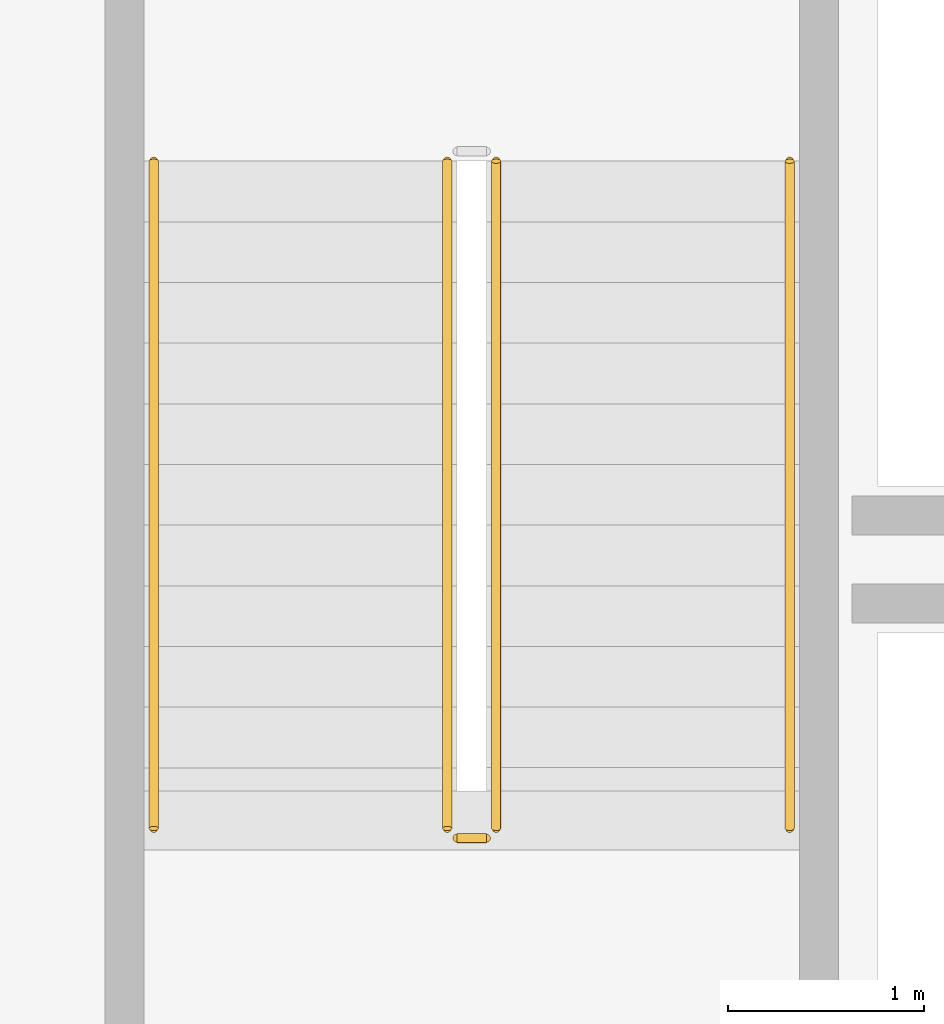
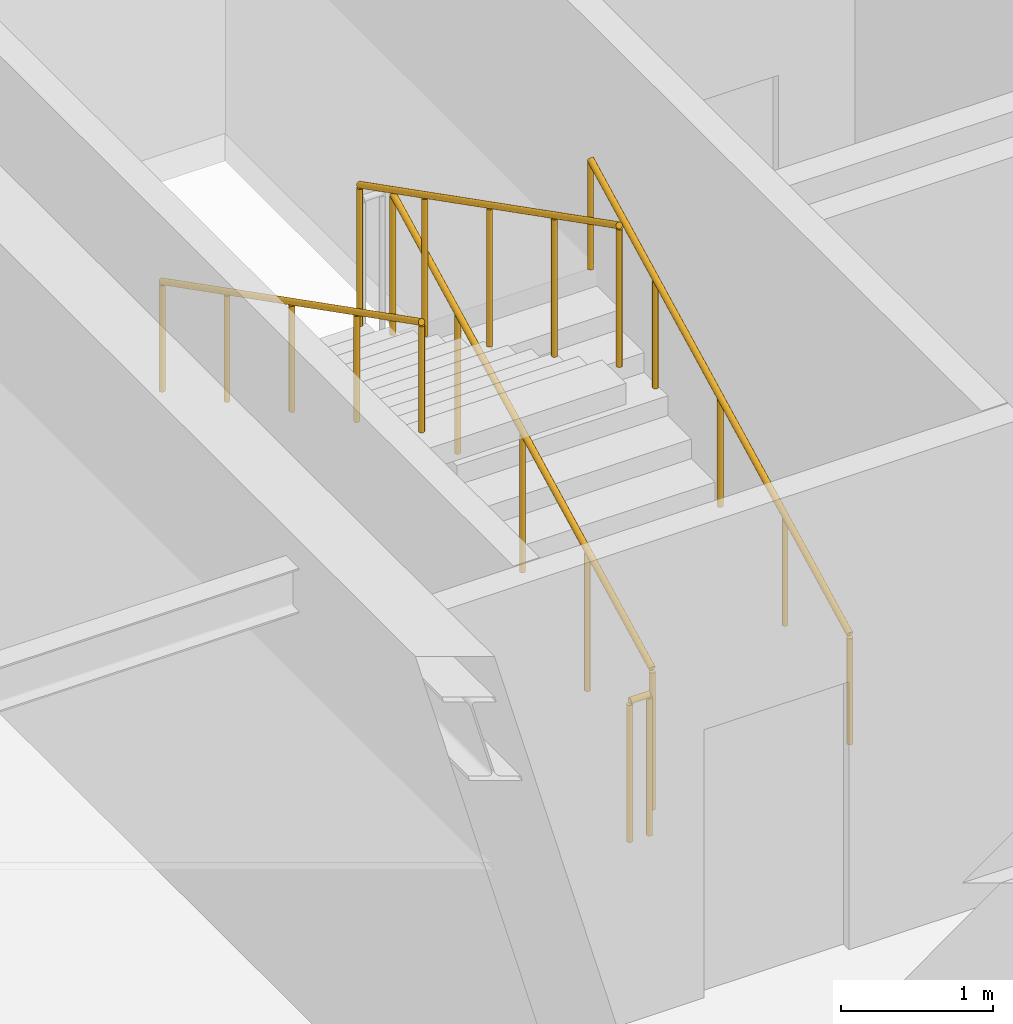
# One storey, part 15 of 20: 5 railings.
"""IFC4 building model written with IfcOpenShell, lengths in metres."""

from ifc_helpers import new_model, si_unit, direction, frame, origin, origin_2d, place, context, subcontext, project, spatial, circle, extrude, material, type_object, element, save


model = new_model("IFC4")

# Units and contexts
model_context = context("Model", 3, precision=1e-05, world=origin(), true_north=direction((0.0, 1.0)))
body_context = subcontext(model_context, "Body", "Model", "MODEL_VIEW")
ifc_project = project(units=[si_unit("LENGTHUNIT", "METRE"), si_unit("AREAUNIT", "SQUARE_METRE"), si_unit("VOLUMEUNIT", "CUBIC_METRE"), si_unit("PLANEANGLEUNIT", "RADIAN"), si_unit("MASSUNIT", "GRAM", prefix="KILO")], contexts=[model_context])

# Site, building, storey
site_placement = place(None, origin())
site = spatial("IfcSite", under=ifc_project, at=site_placement, CompositionType="ELEMENT")
building_placement = place(site_placement, origin())
building = spatial("IfcBuilding", under=site, at=building_placement, Name="Vaeldorn Concourse Tower", CompositionType="ELEMENT")
storey_placement = place(building_placement, frame((0.0, 0.0, 291.60009765625)))
storey = spatial("IfcBuildingStorey", under=building, at=storey_placement, Name="L75", CompositionType="ELEMENT", Elevation=291.60009765625)

# Railings
ifc_material = material(Name="Anodised Bronze Aluminium", Category="aluminium")
railing_type_1 = type_object("IfcRailingType", Name="RL-STAIR-GUARD", PredefinedType="GUARDRAIL", material=ifc_material)
railing_1_placement = place(storey_placement, frame((16.85009765625, 41.60009765625, 0.158203125)))
element("IfcRailing", 1, at=railing_1_placement, inside=storey, type_object=railing_type_1, Name="L75 ST-1 stair guard 1", PredefinedType="GUARDRAIL", context=body_context, shape_type="SweptSolid", body=[
    extrude(circle(Radius=0.02392578125, at=origin_2d()), frame((0.0, 0.0, 1.1259765625), z_axis=(0.0, 0.890555807335, 0.454873997962), x_axis=(-1.0, 0.0, 0.0)), (0.0, 0.0, 1.0), 3.828857421875),
    extrude(circle(Radius=0.02099609375, at=origin_2d()), origin(), (0.0, 0.0, 1.0), 1.101806640625),
    extrude(circle(Radius=0.02099609375, at=origin_2d()), frame((0.0, 0.8525390625, 0.435546875)), (0.0, 0.0, 1.0), 1.101806640625),
    extrude(circle(Radius=0.02099609375, at=origin_2d()), frame((0.0, 1.705078125, 0.870849609375)), (0.0, 0.0, 1.0), 1.101806640625),
    extrude(circle(Radius=0.02099609375, at=origin_2d()), frame((0.0, 2.557373046875, 1.30615234375)), (0.0, 0.0, 1.0), 1.101806640625),
    extrude(circle(Radius=0.02099609375, at=origin_2d()), frame((0.0, 3.409912109375, 1.74169921875)), (0.0, 0.0, 1.0), 1.101806640625),
])
railing_2_placement = place(storey_placement, frame((16.60009765625, 45.010009765625, 2.058349609375)))
element("IfcRailing", 2, at=railing_2_placement, inside=storey, type_object=railing_type_1, Name="L75 ST-1 stair guard 3", PredefinedType="GUARDRAIL", context=body_context, shape_type="SweptSolid", body=[
    extrude(circle(Radius=0.02392578125, at=origin_2d()), frame((0.0, 0.0, 1.1259765625), z_axis=(0.0, -0.890581635807, 0.454823427236), x_axis=(1.0, 0.0, 0.0)), (0.0, 0.0, 1.0), 3.828857421875),
    extrude(circle(Radius=0.02099609375, at=origin_2d()), origin(), (0.0, 0.0, 1.0), 1.101806640625),
    extrude(circle(Radius=0.02099609375, at=origin_2d()), frame((0.0, -0.8525390625, 0.435302734375)), (0.0, 0.0, 1.0), 1.101806640625),
    extrude(circle(Radius=0.02099609375, at=origin_2d()), frame((0.0, -1.705078125, 0.87060546875)), (0.0, 0.0, 1.0), 1.101806640625),
    extrude(circle(Radius=0.02099609375, at=origin_2d()), frame((0.0, -2.557373046875, 1.30615234375)), (0.0, 0.0, 1.0), 1.101806640625),
    extrude(circle(Radius=0.02099609375, at=origin_2d()), frame((0.0, -3.409912109375, 1.741455078125)), (0.0, 0.0, 1.0), 1.101806640625),
])
railing_3_placement = place(storey_placement, frame((16.800048828125, 41.550048828125, 0.0)))
element("IfcRailing", 3, at=railing_3_placement, inside=storey, type_object=railing_type_1, Name="L75 ST-1 stair guard 4", PredefinedType="GUARDRAIL", context=body_context, shape_type="SweptSolid", body=[
    extrude(circle(Radius=0.02392578125, at=origin_2d()), frame((0.0, 0.0, 1.1259765625), z_axis=(-1.0, 0.0, 0.0), x_axis=(0.0, -1.0, 0.0)), (0.0, 0.0, 1.0), 0.150146484375),
    extrude(circle(Radius=0.02099609375, at=origin_2d()), origin(), (0.0, 0.0, 1.0), 1.101806640625),
    extrude(circle(Radius=0.02099609375, at=origin_2d()), frame((-0.150146484375, 0.0, 0.0)), (0.0, 0.0, 1.0), 1.101806640625),
])
railing_type_2 = type_object("IfcRailingType", Name="RL-STAIR-HANDRAIL", PredefinedType="HANDRAIL", material=ifc_material)
railing_4_placement = place(storey_placement, frame((18.35009765625, 41.60009765625, 0.158203125)))
element("IfcRailing", 4, at=railing_4_placement, inside=storey, type_object=railing_type_2, Name="L75 ST-1 stair handrail 1", PredefinedType="HANDRAIL", context=body_context, shape_type="SweptSolid", body=[
    extrude(circle(Radius=0.02392578125, at=origin_2d()), frame((0.0, 0.0, 0.8759765625), z_axis=(0.0, 0.890555807335, 0.454873997962), x_axis=(-1.0, 0.0, 0.0)), (0.0, 0.0, 1.0), 3.828857421875),
    extrude(circle(Radius=0.02099609375, at=origin_2d()), origin(), (0.0, 0.0, 1.0), 0.851806640625),
    extrude(circle(Radius=0.02099609375, at=origin_2d()), frame((0.0, 0.8525390625, 0.435546875)), (0.0, 0.0, 1.0), 0.851806640625),
    extrude(circle(Radius=0.02099609375, at=origin_2d()), frame((0.0, 1.705078125, 0.870849609375)), (0.0, 0.0, 1.0), 0.851806640625),
    extrude(circle(Radius=0.02099609375, at=origin_2d()), frame((0.0, 2.557373046875, 1.30615234375)), (0.0, 0.0, 1.0), 0.851806640625),
    extrude(circle(Radius=0.02099609375, at=origin_2d()), frame((0.0, 3.409912109375, 1.74169921875)), (0.0, 0.0, 1.0), 0.851806640625),
])
railing_5_placement = place(storey_placement, frame((15.10009765625, 45.010009765625, 2.058349609375)))
element("IfcRailing", 5, at=railing_5_placement, inside=storey, type_object=railing_type_2, Name="L75 ST-1 stair handrail 2", PredefinedType="HANDRAIL", context=body_context, shape_type="SweptSolid", body=[
    extrude(circle(Radius=0.02392578125, at=origin_2d()), frame((0.0, 0.0, 0.8759765625), z_axis=(0.0, -0.890581635807, 0.454823427236), x_axis=(1.0, 0.0, 0.0)), (0.0, 0.0, 1.0), 3.828857421875),
    extrude(circle(Radius=0.02099609375, at=origin_2d()), origin(), (0.0, 0.0, 1.0), 0.851806640625),
    extrude(circle(Radius=0.02099609375, at=origin_2d()), frame((0.0, -0.8525390625, 0.435302734375)), (0.0, 0.0, 1.0), 0.851806640625),
    extrude(circle(Radius=0.02099609375, at=origin_2d()), frame((0.0, -1.705078125, 0.87060546875)), (0.0, 0.0, 1.0), 0.851806640625),
    extrude(circle(Radius=0.02099609375, at=origin_2d()), frame((0.0, -2.557373046875, 1.30615234375)), (0.0, 0.0, 1.0), 0.851806640625),
    extrude(circle(Radius=0.02099609375, at=origin_2d()), frame((0.0, -3.409912109375, 1.741455078125)), (0.0, 0.0, 1.0), 0.851806640625),
])

save(model, "model.ifc")
